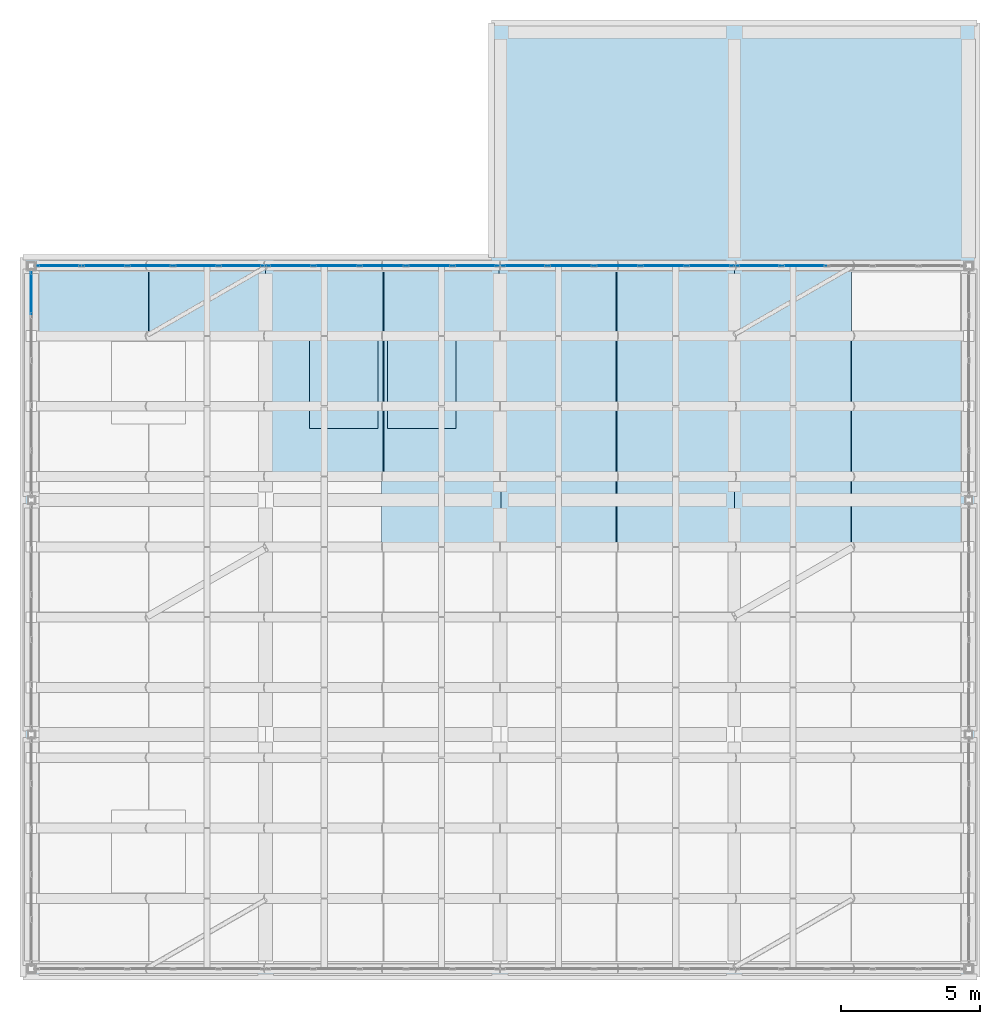
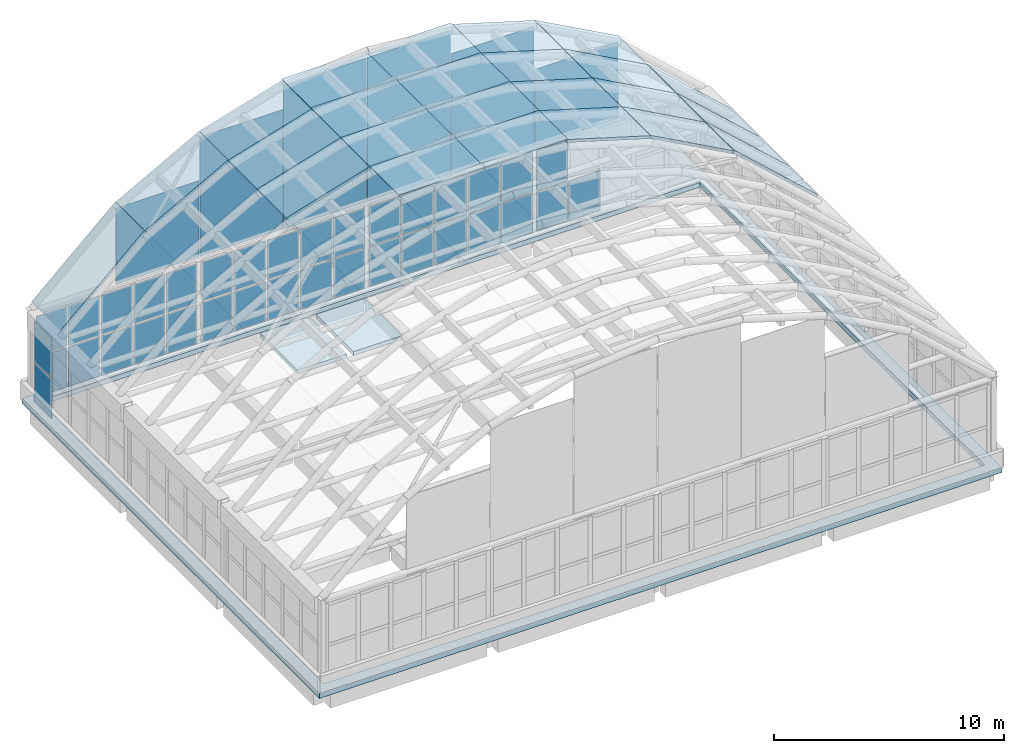
# One storey, part 24 of 26: 49 plates, 19 slabs, 5 elements without a shape of their own.
"""IFC4 building model written with IfcOpenShell, lengths in metres."""

from ifc_helpers import new_model, si_unit, direction, frame, origin, origin_2d, place, context, subcontext, project, spatial, polyline, rectangle, outline, extrude, material, layer, layer_set, type_object, element, aggregate, save


model = new_model("IFC4")

# Units and contexts
model_context = context("Model", 3, precision=1e-05, world=origin(), true_north=direction((0.0, 1.0)))
body_context = subcontext(model_context, "Body", "Model", "MODEL_VIEW")
ifc_project = project(units=[si_unit("LENGTHUNIT", "METRE"), si_unit("AREAUNIT", "SQUARE_METRE"), si_unit("VOLUMEUNIT", "CUBIC_METRE"), si_unit("PLANEANGLEUNIT", "RADIAN"), si_unit("MASSUNIT", "GRAM", prefix="KILO")], contexts=[model_context])

# Site, building, storey
site_placement = place(None, origin())
site = spatial("IfcSite", under=ifc_project, at=site_placement, CompositionType="ELEMENT")
building_placement = place(site_placement, origin())
building = spatial("IfcBuilding", under=site, at=building_placement, Name="Xazarin Passage Department Store", CompositionType="ELEMENT")
storey_placement = place(building_placement, frame((0.0, 0.0, 36.89990234375)))
storey = spatial("IfcBuildingStorey", under=building, at=storey_placement, Name="RF", CompositionType="ELEMENT", Elevation=36.89990234375)

# Curtain wall, plates
ifc_material_1 = material(Name="Bronze anodised aluminium", Category="aluminium")
ifc_layer_1 = layer(ifc_material_1, 0.199951171875)
ifc_layer_set_1 = layer_set([ifc_layer_1], Name="Bronze anodised aluminium")
curtain_wall_type = type_object("IfcCurtainWallType", Name="ARC-CW-VIT2", PredefinedType="NOTDEFINED", material=ifc_layer_set_1)
curtain_wall_1_placement = place(storey_placement, origin())
curtain_wall_1 = element("IfcCurtainWall", 1, at=curtain_wall_1_placement, inside=storey, type_object=curtain_wall_type, Name="RF V1 Atrium Lantern Curtain Wall 05", PredefinedType="NOTDEFINED")
ifc_material_2 = material(Name="Low-E laminated safety glass", Category="glass")
ifc_layer_2 = layer(ifc_material_2, 0.031982421875)
ifc_layer_set_2 = layer_set([ifc_layer_2], Name="Low-E laminated safety glass")
plate_type_1 = type_object("IfcPlateType", Name="ARC-CWP-GLZ32", PredefinedType="CURTAIN_PANEL", material=ifc_layer_set_2)
plate_1_placement = place(storey_placement, frame((0.0, 100.61328125, 0.0751953125), z_axis=(0.0, 0.0, 1.0), x_axis=(0.0, 1.0, 0.0)))
plate_1 = element("IfcPlate", 2, at=plate_1_placement, type_object=plate_type_1, Name="CW2 panel 5.1", PredefinedType="CURTAIN_PANEL", context=body_context, shape_type="SweptSolid", body=[
    extrude(rectangle(XDim=1.50341796875, YDim=0.031982421875, at=origin_2d()), origin(), (0.0, 0.0, 1.0), 2.089599609375),
])
plate_2_placement = place(storey_placement, frame((0.0, 100.61328125, 2.23974609375), z_axis=(0.0, 0.0, 1.0), x_axis=(0.0, 1.0, 0.0)))
plate_2 = element("IfcPlate", 3, at=plate_2_placement, type_object=plate_type_1, Name="CW2 panel 5.2", PredefinedType="CURTAIN_PANEL", context=body_context, shape_type="SweptSolid", body=[
    extrude(rectangle(XDim=1.50341796875, YDim=0.031982421875, at=origin_2d()), origin(), (0.0, 0.0, 1.0), 2.089599609375),
])
aggregate(curtain_wall_1, [plate_1, plate_2])

curtain_wall_2_placement = place(storey_placement, origin())
curtain_wall_2 = element("IfcCurtainWall", 4, at=curtain_wall_2_placement, inside=storey, type_object=curtain_wall_type, Name="RF V1 Atrium Lantern Curtain Wall 08", PredefinedType="NOTDEFINED")
plate_3_placement = place(storey_placement, frame((0.998779296875, 101.60009765625, 0.0751953125), z_axis=(0.0, 0.0, 1.0), x_axis=(1.0, 0.0, 0.0)))
plate_3 = element("IfcPlate", 5, at=plate_3_placement, type_object=plate_type_1, Name="CW2 panel 1.1", PredefinedType="CURTAIN_PANEL", context=body_context, shape_type="SweptSolid", body=[
    extrude(rectangle(XDim=1.527587890625, YDim=0.031982421875, at=origin_2d()), origin(), (0.0, 0.0, 1.0), 2.089599609375),
])
plate_4_placement = place(storey_placement, frame((0.998779296875, 101.60009765625, 2.23974609375), z_axis=(0.0, 0.0, 1.0), x_axis=(1.0, 0.0, 0.0)))
plate_4 = element("IfcPlate", 6, at=plate_4_placement, type_object=plate_type_1, Name="CW2 panel 1.2", PredefinedType="CURTAIN_PANEL", context=body_context, shape_type="SweptSolid", body=[
    extrude(rectangle(XDim=1.527587890625, YDim=0.031982421875, at=origin_2d()), origin(), (0.0, 0.0, 1.0), 2.089599609375),
])
plate_5_placement = place(storey_placement, frame((2.6201171875, 101.60009765625, 0.0751953125), z_axis=(0.0, 0.0, 1.0), x_axis=(1.0, 0.0, 0.0)))
plate_5 = element("IfcPlate", 7, at=plate_5_placement, type_object=plate_type_1, Name="CW2 panel 2.1", PredefinedType="CURTAIN_PANEL", context=body_context, shape_type="SweptSolid", body=[
    extrude(rectangle(XDim=1.56494140625, YDim=0.031982421875, at=origin_2d()), origin(), (0.0, 0.0, 1.0), 2.089599609375),
])
plate_6_placement = place(storey_placement, frame((2.6201171875, 101.60009765625, 2.23974609375), z_axis=(0.0, 0.0, 1.0), x_axis=(1.0, 0.0, 0.0)))
plate_6 = element("IfcPlate", 8, at=plate_6_placement, type_object=plate_type_1, Name="CW2 panel 2.2", PredefinedType="CURTAIN_PANEL", context=body_context, shape_type="SweptSolid", body=[
    extrude(rectangle(XDim=1.56494140625, YDim=0.031982421875, at=origin_2d()), origin(), (0.0, 0.0, 1.0), 2.089599609375),
])
plate_7_placement = place(storey_placement, frame((4.260009765625, 101.60009765625, 0.0751953125), z_axis=(0.0, 0.0, 1.0), x_axis=(1.0, 0.0, 0.0)))
plate_7 = element("IfcPlate", 9, at=plate_7_placement, type_object=plate_type_1, Name="CW2 panel 3.1", PredefinedType="CURTAIN_PANEL", context=body_context, shape_type="SweptSolid", body=[
    extrude(rectangle(XDim=1.56494140625, YDim=0.031982421875, at=origin_2d()), origin(), (0.0, 0.0, 1.0), 2.089599609375),
])
plate_8_placement = place(storey_placement, frame((4.260009765625, 101.60009765625, 2.23974609375), z_axis=(0.0, 0.0, 1.0), x_axis=(1.0, 0.0, 0.0)))
plate_8 = element("IfcPlate", 10, at=plate_8_placement, type_object=plate_type_1, Name="CW2 panel 3.2", PredefinedType="CURTAIN_PANEL", context=body_context, shape_type="SweptSolid", body=[
    extrude(rectangle(XDim=1.56494140625, YDim=0.031982421875, at=origin_2d()), origin(), (0.0, 0.0, 1.0), 2.089599609375),
])
plate_9_placement = place(storey_placement, frame((5.89990234375, 101.60009765625, 0.0751953125), z_axis=(0.0, 0.0, 1.0), x_axis=(1.0, 0.0, 0.0)))
plate_9 = element("IfcPlate", 11, at=plate_9_placement, type_object=plate_type_1, Name="CW2 panel 4.1", PredefinedType="CURTAIN_PANEL", context=body_context, shape_type="SweptSolid", body=[
    extrude(rectangle(XDim=1.56494140625, YDim=0.031982421875, at=origin_2d()), origin(), (0.0, 0.0, 1.0), 2.089599609375),
])
plate_10_placement = place(storey_placement, frame((5.89990234375, 101.60009765625, 2.23974609375), z_axis=(0.0, 0.0, 1.0), x_axis=(1.0, 0.0, 0.0)))
plate_10 = element("IfcPlate", 12, at=plate_10_placement, type_object=plate_type_1, Name="CW2 panel 4.2", PredefinedType="CURTAIN_PANEL", context=body_context, shape_type="SweptSolid", body=[
    extrude(rectangle(XDim=1.56494140625, YDim=0.031982421875, at=origin_2d()), origin(), (0.0, 0.0, 1.0), 2.089599609375),
])
plate_11_placement = place(storey_placement, frame((7.521240234375, 101.60009765625, 0.0751953125), z_axis=(0.0, 0.0, 1.0), x_axis=(1.0, 0.0, 0.0)))
plate_11 = element("IfcPlate", 13, at=plate_11_placement, type_object=plate_type_1, Name="CW2 panel 5.1", PredefinedType="CURTAIN_PANEL", context=body_context, shape_type="SweptSolid", body=[
    extrude(rectangle(XDim=1.527587890625, YDim=0.031982421875, at=origin_2d()), origin(), (0.0, 0.0, 1.0), 2.089599609375),
])
plate_12_placement = place(storey_placement, frame((7.521240234375, 101.60009765625, 2.23974609375), z_axis=(0.0, 0.0, 1.0), x_axis=(1.0, 0.0, 0.0)))
plate_12 = element("IfcPlate", 14, at=plate_12_placement, type_object=plate_type_1, Name="CW2 panel 5.2", PredefinedType="CURTAIN_PANEL", context=body_context, shape_type="SweptSolid", body=[
    extrude(rectangle(XDim=1.527587890625, YDim=0.031982421875, at=origin_2d()), origin(), (0.0, 0.0, 1.0), 2.089599609375),
])
aggregate(curtain_wall_2, [plate_3, plate_4, plate_5, plate_6, plate_7, plate_8, plate_9, plate_10, plate_11, plate_12])

curtain_wall_3_placement = place(storey_placement, origin())
curtain_wall_3 = element("IfcCurtainWall", 15, at=curtain_wall_3_placement, inside=storey, type_object=curtain_wall_type, Name="RF V1 Atrium Lantern Curtain Wall 10", PredefinedType="NOTDEFINED")
plate_13_placement = place(storey_placement, frame((9.290771484375, 101.60009765625, 0.0751953125), z_axis=(0.0, 0.0, 1.0), x_axis=(1.0, 0.0, 0.0)))
plate_13 = element("IfcPlate", 16, at=plate_13_placement, type_object=plate_type_1, Name="CW2 panel 1.1", PredefinedType="CURTAIN_PANEL", context=body_context, shape_type="SweptSolid", body=[
    extrude(rectangle(XDim=1.551513671875, YDim=0.031982421875, at=origin_2d()), origin(), (0.0, 0.0, 1.0), 2.089599609375),
])
plate_14_placement = place(storey_placement, frame((9.290771484375, 101.60009765625, 2.23974609375), z_axis=(0.0, 0.0, 1.0), x_axis=(1.0, 0.0, 0.0)))
plate_14 = element("IfcPlate", 17, at=plate_14_placement, type_object=plate_type_1, Name="CW2 panel 1.2", PredefinedType="CURTAIN_PANEL", context=body_context, shape_type="SweptSolid", body=[
    extrude(rectangle(XDim=1.551513671875, YDim=0.031982421875, at=origin_2d()), origin(), (0.0, 0.0, 1.0), 2.089599609375),
])
plate_15_placement = place(storey_placement, frame((10.93603515625, 101.60009765625, 0.0751953125), z_axis=(0.0, 0.0, 1.0), x_axis=(1.0, 0.0, 0.0)))
plate_15 = element("IfcPlate", 18, at=plate_15_placement, type_object=plate_type_1, Name="CW2 panel 2.1", PredefinedType="CURTAIN_PANEL", context=body_context, shape_type="SweptSolid", body=[
    extrude(rectangle(XDim=1.589111328125, YDim=0.031982421875, at=origin_2d()), origin(), (0.0, 0.0, 1.0), 2.089599609375),
])
plate_16_placement = place(storey_placement, frame((10.93603515625, 101.60009765625, 2.23974609375), z_axis=(0.0, 0.0, 1.0), x_axis=(1.0, 0.0, 0.0)))
plate_16 = element("IfcPlate", 19, at=plate_16_placement, type_object=plate_type_1, Name="CW2 panel 2.2", PredefinedType="CURTAIN_PANEL", context=body_context, shape_type="SweptSolid", body=[
    extrude(rectangle(XDim=1.589111328125, YDim=0.031982421875, at=origin_2d()), origin(), (0.0, 0.0, 1.0), 2.089599609375),
])
plate_17_placement = place(storey_placement, frame((12.60009765625, 101.60009765625, 0.0751953125), z_axis=(0.0, 0.0, 1.0), x_axis=(1.0, 0.0, 0.0)))
plate_17 = element("IfcPlate", 20, at=plate_17_placement, type_object=plate_type_1, Name="CW2 panel 3.1", PredefinedType="CURTAIN_PANEL", context=body_context, shape_type="SweptSolid", body=[
    extrude(rectangle(XDim=1.589111328125, YDim=0.031982421875, at=origin_2d()), origin(), (0.0, 0.0, 1.0), 2.089599609375),
])
plate_18_placement = place(storey_placement, frame((12.60009765625, 101.60009765625, 2.23974609375), z_axis=(0.0, 0.0, 1.0), x_axis=(1.0, 0.0, 0.0)))
plate_18 = element("IfcPlate", 21, at=plate_18_placement, type_object=plate_type_1, Name="CW2 panel 3.2", PredefinedType="CURTAIN_PANEL", context=body_context, shape_type="SweptSolid", body=[
    extrude(rectangle(XDim=1.589111328125, YDim=0.031982421875, at=origin_2d()), origin(), (0.0, 0.0, 1.0), 2.089599609375),
])
plate_19_placement = place(storey_placement, frame((14.263916015625, 101.60009765625, 0.0751953125), z_axis=(0.0, 0.0, 1.0), x_axis=(1.0, 0.0, 0.0)))
plate_19 = element("IfcPlate", 22, at=plate_19_placement, type_object=plate_type_1, Name="CW2 panel 4.1", PredefinedType="CURTAIN_PANEL", context=body_context, shape_type="SweptSolid", body=[
    extrude(rectangle(XDim=1.589111328125, YDim=0.031982421875, at=origin_2d()), origin(), (0.0, 0.0, 1.0), 2.089599609375),
])
plate_20_placement = place(storey_placement, frame((14.263916015625, 101.60009765625, 2.23974609375), z_axis=(0.0, 0.0, 1.0), x_axis=(1.0, 0.0, 0.0)))
plate_20 = element("IfcPlate", 23, at=plate_20_placement, type_object=plate_type_1, Name="CW2 panel 4.2", PredefinedType="CURTAIN_PANEL", context=body_context, shape_type="SweptSolid", body=[
    extrude(rectangle(XDim=1.589111328125, YDim=0.031982421875, at=origin_2d()), origin(), (0.0, 0.0, 1.0), 2.089599609375),
])
plate_21_placement = place(storey_placement, frame((15.9091796875, 101.60009765625, 0.0751953125), z_axis=(0.0, 0.0, 1.0), x_axis=(1.0, 0.0, 0.0)))
plate_21 = element("IfcPlate", 24, at=plate_21_placement, type_object=plate_type_1, Name="CW2 panel 5.1", PredefinedType="CURTAIN_PANEL", context=body_context, shape_type="SweptSolid", body=[
    extrude(rectangle(XDim=1.551513671875, YDim=0.031982421875, at=origin_2d()), origin(), (0.0, 0.0, 1.0), 2.089599609375),
])
plate_22_placement = place(storey_placement, frame((15.9091796875, 101.60009765625, 2.23974609375), z_axis=(0.0, 0.0, 1.0), x_axis=(1.0, 0.0, 0.0)))
plate_22 = element("IfcPlate", 25, at=plate_22_placement, type_object=plate_type_1, Name="CW2 panel 5.2", PredefinedType="CURTAIN_PANEL", context=body_context, shape_type="SweptSolid", body=[
    extrude(rectangle(XDim=1.551513671875, YDim=0.031982421875, at=origin_2d()), origin(), (0.0, 0.0, 1.0), 2.089599609375),
])
aggregate(curtain_wall_3, [plate_13, plate_14, plate_15, plate_16, plate_17, plate_18, plate_19, plate_20, plate_21, plate_22])

curtain_wall_4_placement = place(storey_placement, origin())
curtain_wall_4 = element("IfcCurtainWall", 26, at=curtain_wall_4_placement, inside=storey, type_object=curtain_wall_type, Name="RF V1 Atrium Lantern Curtain Wall 12", PredefinedType="NOTDEFINED")
plate_23_placement = place(storey_placement, frame((17.690673828125, 101.60009765625, 0.0751953125), z_axis=(0.0, 0.0, 1.0), x_axis=(1.0, 0.0, 0.0)))
plate_23 = element("IfcPlate", 27, at=plate_23_placement, type_object=plate_type_1, Name="CW2 panel 1.1", PredefinedType="CURTAIN_PANEL", context=body_context, shape_type="SweptSolid", body=[
    extrude(rectangle(XDim=1.551513671875, YDim=0.031982421875, at=origin_2d()), origin(), (0.0, 0.0, 1.0), 2.089599609375),
])
plate_24_placement = place(storey_placement, frame((17.690673828125, 101.60009765625, 2.23974609375), z_axis=(0.0, 0.0, 1.0), x_axis=(1.0, 0.0, 0.0)))
plate_24 = element("IfcPlate", 28, at=plate_24_placement, type_object=plate_type_1, Name="CW2 panel 1.2", PredefinedType="CURTAIN_PANEL", context=body_context, shape_type="SweptSolid", body=[
    extrude(rectangle(XDim=1.551513671875, YDim=0.031982421875, at=origin_2d()), origin(), (0.0, 0.0, 1.0), 2.089599609375),
])
plate_25_placement = place(storey_placement, frame((19.3359375, 101.60009765625, 0.0751953125), z_axis=(0.0, 0.0, 1.0), x_axis=(1.0, 0.0, 0.0)))
plate_25 = element("IfcPlate", 29, at=plate_25_placement, type_object=plate_type_1, Name="CW2 panel 2.1", PredefinedType="CURTAIN_PANEL", context=body_context, shape_type="SweptSolid", body=[
    extrude(rectangle(XDim=1.589111328125, YDim=0.031982421875, at=origin_2d()), origin(), (0.0, 0.0, 1.0), 2.089599609375),
])
plate_26_placement = place(storey_placement, frame((19.3359375, 101.60009765625, 2.23974609375), z_axis=(0.0, 0.0, 1.0), x_axis=(1.0, 0.0, 0.0)))
plate_26 = element("IfcPlate", 30, at=plate_26_placement, type_object=plate_type_1, Name="CW2 panel 2.2", PredefinedType="CURTAIN_PANEL", context=body_context, shape_type="SweptSolid", body=[
    extrude(rectangle(XDim=1.589111328125, YDim=0.031982421875, at=origin_2d()), origin(), (0.0, 0.0, 1.0), 2.089599609375),
])
plate_27_placement = place(storey_placement, frame((21.0, 101.60009765625, 0.0751953125), z_axis=(0.0, 0.0, 1.0), x_axis=(1.0, 0.0, 0.0)))
plate_27 = element("IfcPlate", 31, at=plate_27_placement, type_object=plate_type_1, Name="CW2 panel 3.1", PredefinedType="CURTAIN_PANEL", context=body_context, shape_type="SweptSolid", body=[
    extrude(rectangle(XDim=1.589111328125, YDim=0.031982421875, at=origin_2d()), origin(), (0.0, 0.0, 1.0), 2.089599609375),
])
plate_28_placement = place(storey_placement, frame((21.0, 101.60009765625, 2.23974609375), z_axis=(0.0, 0.0, 1.0), x_axis=(1.0, 0.0, 0.0)))
plate_28 = element("IfcPlate", 32, at=plate_28_placement, type_object=plate_type_1, Name="CW2 panel 3.2", PredefinedType="CURTAIN_PANEL", context=body_context, shape_type="SweptSolid", body=[
    extrude(rectangle(XDim=1.589111328125, YDim=0.031982421875, at=origin_2d()), origin(), (0.0, 0.0, 1.0), 2.089599609375),
])
plate_29_placement = place(storey_placement, frame((22.6640625, 101.60009765625, 0.0751953125), z_axis=(0.0, 0.0, 1.0), x_axis=(1.0, 0.0, 0.0)))
plate_29 = element("IfcPlate", 33, at=plate_29_placement, type_object=plate_type_1, Name="CW2 panel 4.1", PredefinedType="CURTAIN_PANEL", context=body_context, shape_type="SweptSolid", body=[
    extrude(rectangle(XDim=1.589111328125, YDim=0.031982421875, at=origin_2d()), origin(), (0.0, 0.0, 1.0), 2.089599609375),
])
plate_30_placement = place(storey_placement, frame((22.6640625, 101.60009765625, 2.23974609375), z_axis=(0.0, 0.0, 1.0), x_axis=(1.0, 0.0, 0.0)))
plate_30 = element("IfcPlate", 34, at=plate_30_placement, type_object=plate_type_1, Name="CW2 panel 4.2", PredefinedType="CURTAIN_PANEL", context=body_context, shape_type="SweptSolid", body=[
    extrude(rectangle(XDim=1.589111328125, YDim=0.031982421875, at=origin_2d()), origin(), (0.0, 0.0, 1.0), 2.089599609375),
])
plate_31_placement = place(storey_placement, frame((24.309326171875, 101.60009765625, 0.0751953125), z_axis=(0.0, 0.0, 1.0), x_axis=(1.0, 0.0, 0.0)))
plate_31 = element("IfcPlate", 35, at=plate_31_placement, type_object=plate_type_1, Name="CW2 panel 5.1", PredefinedType="CURTAIN_PANEL", context=body_context, shape_type="SweptSolid", body=[
    extrude(rectangle(XDim=1.551513671875, YDim=0.031982421875, at=origin_2d()), origin(), (0.0, 0.0, 1.0), 2.089599609375),
])
plate_32_placement = place(storey_placement, frame((24.309326171875, 101.60009765625, 2.23974609375), z_axis=(0.0, 0.0, 1.0), x_axis=(1.0, 0.0, 0.0)))
plate_32 = element("IfcPlate", 36, at=plate_32_placement, type_object=plate_type_1, Name="CW2 panel 5.2", PredefinedType="CURTAIN_PANEL", context=body_context, shape_type="SweptSolid", body=[
    extrude(rectangle(XDim=1.551513671875, YDim=0.031982421875, at=origin_2d()), origin(), (0.0, 0.0, 1.0), 2.089599609375),
])
aggregate(curtain_wall_4, [plate_23, plate_24, plate_25, plate_26, plate_27, plate_28, plate_29, plate_30, plate_31, plate_32])

curtain_wall_5_placement = place(storey_placement, origin())
curtain_wall_5 = element("IfcCurtainWall", 37, at=curtain_wall_5_placement, inside=storey, type_object=curtain_wall_type, Name="RF V1 Atrium Lantern Curtain Wall 14", PredefinedType="NOTDEFINED")
plate_33_placement = place(storey_placement, frame((26.078857421875, 101.60009765625, 0.0751953125), z_axis=(0.0, 0.0, 1.0), x_axis=(1.0, 0.0, 0.0)))
plate_33 = element("IfcPlate", 38, at=plate_33_placement, type_object=plate_type_1, Name="CW2 panel 1.1", PredefinedType="CURTAIN_PANEL", context=body_context, shape_type="SweptSolid", body=[
    extrude(rectangle(XDim=1.527587890625, YDim=0.031982421875, at=origin_2d()), origin(), (0.0, 0.0, 1.0), 2.089599609375),
])
plate_34_placement = place(storey_placement, frame((26.078857421875, 101.60009765625, 2.23974609375), z_axis=(0.0, 0.0, 1.0), x_axis=(1.0, 0.0, 0.0)))
plate_34 = element("IfcPlate", 39, at=plate_34_placement, type_object=plate_type_1, Name="CW2 panel 1.2", PredefinedType="CURTAIN_PANEL", context=body_context, shape_type="SweptSolid", body=[
    extrude(rectangle(XDim=1.527587890625, YDim=0.031982421875, at=origin_2d()), origin(), (0.0, 0.0, 1.0), 2.089599609375),
])
plate_35_placement = place(storey_placement, frame((27.699951171875, 101.60009765625, 0.0751953125), z_axis=(0.0, 0.0, 1.0), x_axis=(1.0, 0.0, 0.0)))
plate_35 = element("IfcPlate", 40, at=plate_35_placement, type_object=plate_type_1, Name="CW2 panel 2.1", PredefinedType="CURTAIN_PANEL", context=body_context, shape_type="SweptSolid", body=[
    extrude(rectangle(XDim=1.56494140625, YDim=0.031982421875, at=origin_2d()), origin(), (0.0, 0.0, 1.0), 2.089599609375),
])
aggregate(curtain_wall_5, [plate_33, plate_34, plate_35])

# Plates
ifc_layer_3 = layer(ifc_material_2, 0.031982421875)
ifc_layer_set_3 = layer_set([ifc_layer_3], Name="Low-E laminated safety glass")
plate_type_2 = type_object("IfcPlateType", Name="ARC-PLT-VGLZ32", PredefinedType="SHEET", material=ifc_layer_set_3)
plate_36_placement = place(storey_placement, frame((6.300048828125, 101.60009765625, 4.64453125), z_axis=(0.0, 0.0, 1.0), x_axis=(1.0, 0.0, 0.0)))
element("IfcPlate", 41, at=plate_36_placement, inside=storey, type_object=plate_type_2, Name="V1V Glazed Gable Tympanum Panel 2.2", PredefinedType="SHEET", context=body_context, shape_type="SweptSolid", body=[
    extrude(rectangle(XDim=4.159912109375, YDim=0.031982421875, at=origin_2d()), origin(), (0.0, 0.0, 1.0), 4.030029296875),
])
plate_37_placement = place(storey_placement, frame((10.5, 101.60009765625, 4.644287109375), z_axis=(0.0, 0.0, 1.0), x_axis=(1.0, 0.0, 0.0)))
element("IfcPlate", 42, at=plate_37_placement, inside=storey, type_object=plate_type_2, Name="V1V Glazed Gable Tympanum Panel 2.3", PredefinedType="SHEET", context=body_context, shape_type="SweptSolid", body=[
    extrude(rectangle(XDim=4.159912109375, YDim=0.031982421875, at=origin_2d()), origin(), (0.0, 0.0, 1.0), 6.3291015625),
])
for number, where, z_axis, x_axis, name in (
    (43, (14.699951171875, 101.60009765625, 4.64404296875), (0.0, 0.0, 1.0), (1.0, 0.0, 0.0), "V1V Glazed Gable Tympanum Panel 2.4"),
    (44, (18.89990234375, 101.60009765625, 4.64404296875), (0.0, 0.0, 1.0), (1.0, 0.0, 0.0), "V1V Glazed Gable Tympanum Panel 2.5"),
):
    element("IfcPlate", number, at=place(storey_placement, frame(where, z_axis=z_axis, x_axis=x_axis)), inside=storey, type_object=plate_type_2, Name=name, PredefinedType="SHEET", context=body_context, shape_type="SweptSolid", body=[
        extrude(rectangle(XDim=4.159912109375, YDim=0.031982421875, at=origin_2d()), origin(), (0.0, 0.0, 1.0), 7.591064453125),
    ])
plate_38_placement = place(storey_placement, frame((23.10009765625, 101.60009765625, 4.644287109375), z_axis=(0.0, 0.0, 1.0), x_axis=(1.0, 0.0, 0.0)))
element("IfcPlate", 45, at=plate_38_placement, inside=storey, type_object=plate_type_2, Name="V1V Glazed Gable Tympanum Panel 2.6", PredefinedType="SHEET", context=body_context, shape_type="SweptSolid", body=[
    extrude(rectangle(XDim=4.159912109375, YDim=0.031982421875, at=origin_2d()), origin(), (0.0, 0.0, 1.0), 6.3291015625),
])
plate_39_placement = place(storey_placement, frame((27.300048828125, 101.60009765625, 4.64453125), z_axis=(0.0, 0.0, 1.0), x_axis=(1.0, 0.0, 0.0)))
element("IfcPlate", 46, at=plate_39_placement, inside=storey, type_object=plate_type_2, Name="V1V Glazed Gable Tympanum Panel 2.7", PredefinedType="SHEET", context=body_context, shape_type="SweptSolid", body=[
    extrude(rectangle(XDim=4.159912109375, YDim=0.031982421875, at=origin_2d()), origin(), (0.0, 0.0, 1.0), 4.030029296875),
])
for number, where, z_axis, x_axis, name in (
    (47, (14.699951171875, 92.780029296875, 12.54736328125), (0.0, 0.0, 1.0), (1.0, 0.0, 0.0), "V1V Crown Skylight Glazing Panel 7.4"),
    (48, (18.89990234375, 92.780029296875, 12.54736328125), (0.0, 0.0, 1.0), (1.0, 0.0, 0.0), "V1V Crown Skylight Glazing Panel 7.5"),
    (49, (14.699951171875, 95.300048828125, 12.54736328125), (0.0, 0.0, 1.0), (1.0, 0.0, 0.0), "V1V Crown Skylight Glazing Panel 8.4"),
    (50, (18.89990234375, 95.300048828125, 12.54736328125), (0.0, 0.0, 1.0), (1.0, 0.0, 0.0), "V1V Crown Skylight Glazing Panel 8.5"),
    (51, (14.699951171875, 97.820068359375, 12.54736328125), (0.0, 0.0, 1.0), (1.0, 0.0, 0.0), "V1V Crown Skylight Glazing Panel 9.4"),
    (52, (18.89990234375, 97.820068359375, 12.54736328125), (0.0, 0.0, 1.0), (1.0, 0.0, 0.0), "V1V Crown Skylight Glazing Panel 9.5"),
    (53, (14.699951171875, 100.340087890625, 12.54736328125), (0.0, 0.0, 1.0), (1.0, 0.0, 0.0), "V1V Crown Skylight Glazing Panel 10.4"),
    (54, (18.89990234375, 100.340087890625, 12.54736328125), (0.0, 0.0, 1.0), (1.0, 0.0, 0.0), "V1V Crown Skylight Glazing Panel 10.5"),
):
    element("IfcPlate", number, at=place(storey_placement, frame(where, z_axis=z_axis, x_axis=x_axis)), inside=storey, type_object=plate_type_2, Name=name, PredefinedType="SHEET", context=body_context, shape_type="SweptSolid", body=[
        extrude(rectangle(XDim=4.280029296875, YDim=2.60009765625, at=origin_2d()), origin(), (0.0, 0.0, 1.0), 0.031982421875),
    ])

# Slabs
ifc_material_3 = material(Name="Concrete C35/45", Category="concrete")
ifc_layer_4 = layer(ifc_material_3, 0.2099609375)
ifc_layer_set_4 = layer_set([ifc_layer_4], Name="Concrete C35/45")
slab_type_1 = type_object("IfcSlabType", Name="STR-SLB-OVR210", PredefinedType="ROOF", material=ifc_layer_set_4)
slab_1_placement = place(storey_placement, frame((0.0, 0.0, 1.400146484375)))
element("IfcSlab", 55, at=slab_1_placement, inside=storey, type_object=slab_type_1, Name="Lift FL1 Overrun Roof Slab", PredefinedType="ROOF", context=body_context, shape_type="SweptSolid", body=[
    extrude(outline(polyline([(9.969970703125, 95.77001953125), (12.429931640625, 95.77001953125), (12.429931640625, 99.030029296875), (9.969970703125, 99.030029296875), (9.969970703125, 95.77001953125)])), origin(), (0.0, 0.0, 1.0), 0.2099609375),
])
slab_2_placement = place(storey_placement, frame((0.0, 0.0, 1.400146484375)))
element("IfcSlab", 56, at=slab_2_placement, inside=storey, type_object=slab_type_1, Name="Lift FL2 Overrun Roof Slab", PredefinedType="ROOF", context=body_context, shape_type="SweptSolid", body=[
    extrude(outline(polyline([(12.77001953125, 95.77001953125), (15.22998046875, 95.77001953125), (15.22998046875, 99.030029296875), (12.77001953125, 99.030029296875), (12.77001953125, 95.77001953125)])), origin(), (0.0, 0.0, 1.0), 0.2099609375),
])
ifc_layer_5 = layer(ifc_material_3, 0.260009765625)
ifc_layer_set_5 = layer_set([ifc_layer_5], Name="Concrete C35/45")
slab_type_2 = type_object("IfcSlabType", Name="STR-SLB-RF260", PredefinedType="ROOF", material=ifc_layer_set_5)
slab_3_placement = place(storey_placement, frame((0.0, 0.0, -0.260009765625)))
element("IfcSlab", 57, at=slab_3_placement, inside=storey, type_object=slab_type_2, Name="RF V1 Flagship Perimeter Roof Slab", PredefinedType="ROOF", context=body_context, shape_type="SweptSolid", body=[
    extrude(outline(polyline([(33.89990234375, 110.300048828125), (16.5, 110.300048828125), (16.5, 101.89990234375), (-0.300048828125, 101.89990234375), (-0.300048828125, 76.10009765625), (33.89990234375, 76.10009765625), (33.89990234375, 110.300048828125)]), holes=[polyline([(33.35009765625, 76.64990234375), (0.25, 76.64990234375), (0.25, 101.35009765625), (33.35009765625, 101.35009765625), (33.35009765625, 76.64990234375)])]), origin(), (0.0, 0.0, 1.0), 0.260009765625),
])
ifc_material_4 = material(Name="Concrete C40/50", Category="concrete")
ifc_layer_6 = layer(ifc_material_4, 0.239990234375)
ifc_layer_set_6 = layer_set([ifc_layer_6], Name="Concrete C40/50")
slab_type_3 = type_object("IfcSlabType", Name="STR-SLB-SHL240", PredefinedType="ROOF", material=ifc_layer_set_6)
slab_4_placement = place(storey_placement, frame((21.0, 91.52001953125, 12.542236328125), z_axis=(0.287761558044, 0.0, 0.957702086096), x_axis=(0.957702086096, 0.0, -0.287761558044)))
element("IfcSlab", 58, at=slab_4_placement, inside=storey, type_object=slab_type_3, Name="V1V Vaulted Roof Deck Facet 7.6", PredefinedType="ROOF", context=body_context, shape_type="SweptSolid", body=[
    extrude(outline(polyline([(0.0, 0.0), (4.385446406404802, 0.0), (4.385446406404802, 2.52001953125), (0.0, 2.52001953125), (0.0, 0.0)])), origin(), (0.0, 0.0, -1.0), 0.159912109375),
])
slab_5_placement = place(storey_placement, frame((25.199951171875, 91.52001953125, 11.29541015625), z_axis=(0.480130617978, 0.0, 0.877197007336), x_axis=(0.877197007336, 0.0, -0.480130617978)))
element("IfcSlab", 59, at=slab_5_placement, inside=storey, type_object=slab_type_3, Name="V1V Vaulted Roof Deck Facet 7.7", PredefinedType="ROOF", context=body_context, shape_type="SweptSolid", body=[
    extrude(outline(polyline([(0.0, 0.0), (4.787922367209519, 0.0), (4.787922367209519, 2.5200195312500004), (0.0, 2.5200195312500004), (0.0, 0.0)])), origin(), (0.0, 0.0, -1.0), 0.159912109375),
])
slab_6_placement = place(storey_placement, frame((29.39990234375, 91.52001953125, 9.03076171875), z_axis=(0.673800762597, 0.0, 0.738913074944), x_axis=(0.738913074944, 0.0, -0.673800762597)))
element("IfcSlab", 60, at=slab_6_placement, inside=storey, type_object=slab_type_3, Name="V1V Vaulted Roof Deck Facet 7.8", PredefinedType="ROOF", context=body_context, shape_type="SweptSolid", body=[
    extrude(outline(polyline([(0.0, 0.0), (5.68428879515727, 0.0), (5.68428879515727, 2.52001953125), (0.0, 2.52001953125), (0.0, 0.0)])), origin(), (0.0, 0.0, -1.0), 0.159912109375),
])
slab_7_placement = place(storey_placement, frame((8.39990234375, 94.0400390625, 11.2802734375), z_axis=(-0.287746216561, 0.0, 0.95770669563), x_axis=(0.95770669563, 0.0, 0.287746216561)))
element("IfcSlab", 61, at=slab_7_placement, inside=storey, type_object=slab_type_3, Name="V1V Vaulted Roof Deck Facet 8.3", PredefinedType="ROOF", context=body_context, shape_type="SweptSolid", body=[
    extrude(outline(polyline([(0.0, 0.0), (4.385680220953368, 0.0), (4.385680220953368, 2.52001953125), (0.0, 2.52001953125), (0.0, 0.0)])), origin(), (0.0, 0.0, -1.0), 0.159912109375),
])
slab_8_placement = place(storey_placement, frame((21.0, 94.0400390625, 12.542236328125), z_axis=(0.287761558044, 0.0, 0.957702086096), x_axis=(0.957702086096, 0.0, -0.287761558044)))
element("IfcSlab", 62, at=slab_8_placement, inside=storey, type_object=slab_type_3, Name="V1V Vaulted Roof Deck Facet 8.6", PredefinedType="ROOF", context=body_context, shape_type="SweptSolid", body=[
    extrude(outline(polyline([(0.0, 0.0), (4.385446406404802, 0.0), (4.385446406404802, 2.52001953125), (0.0, 2.52001953125), (0.0, 0.0)])), origin(), (0.0, 0.0, -1.0), 0.159912109375),
])
slab_9_placement = place(storey_placement, frame((25.199951171875, 94.0400390625, 11.29541015625), z_axis=(0.480130617978, 0.0, 0.877197007336), x_axis=(0.877197007336, 0.0, -0.480130617978)))
element("IfcSlab", 63, at=slab_9_placement, inside=storey, type_object=slab_type_3, Name="V1V Vaulted Roof Deck Facet 8.7", PredefinedType="ROOF", context=body_context, shape_type="SweptSolid", body=[
    extrude(outline(polyline([(0.0, 0.0), (4.787922367209519, 0.0), (4.787922367209519, 2.5200195312500004), (0.0, 2.5200195312500004), (0.0, 0.0)])), origin(), (0.0, 0.0, -1.0), 0.159912109375),
])
slab_10_placement = place(storey_placement, frame((29.39990234375, 94.0400390625, 9.03076171875), z_axis=(0.673800762597, 0.0, 0.738913074944), x_axis=(0.738913074944, 0.0, -0.673800762597)))
element("IfcSlab", 64, at=slab_10_placement, inside=storey, type_object=slab_type_3, Name="V1V Vaulted Roof Deck Facet 8.8", PredefinedType="ROOF", context=body_context, shape_type="SweptSolid", body=[
    extrude(outline(polyline([(0.0, 0.0), (5.68428879515727, 0.0), (5.68428879515727, 2.52001953125), (0.0, 2.52001953125), (0.0, 0.0)])), origin(), (0.0, 0.0, -1.0), 0.159912109375),
])
slab_11_placement = place(storey_placement, frame((8.39990234375, 96.56005859375, 11.2802734375), z_axis=(-0.287746216561, 0.0, 0.95770669563), x_axis=(0.95770669563, 0.0, 0.287746216561)))
element("IfcSlab", 65, at=slab_11_placement, inside=storey, type_object=slab_type_3, Name="V1V Vaulted Roof Deck Facet 9.3", PredefinedType="ROOF", context=body_context, shape_type="SweptSolid", body=[
    extrude(outline(polyline([(0.0, 0.0), (4.385680220953368, 0.0), (4.385680220953368, 2.52001953125), (0.0, 2.52001953125), (0.0, 0.0)])), origin(), (0.0, 0.0, -1.0), 0.159912109375),
])
slab_12_placement = place(storey_placement, frame((21.0, 96.56005859375, 12.542236328125), z_axis=(0.287761558044, 0.0, 0.957702086096), x_axis=(0.957702086096, 0.0, -0.287761558044)))
element("IfcSlab", 66, at=slab_12_placement, inside=storey, type_object=slab_type_3, Name="V1V Vaulted Roof Deck Facet 9.6", PredefinedType="ROOF", context=body_context, shape_type="SweptSolid", body=[
    extrude(outline(polyline([(0.0, 0.0), (4.385446406404802, 0.0), (4.385446406404802, 2.52001953125), (0.0, 2.52001953125), (0.0, 0.0)])), origin(), (0.0, 0.0, -1.0), 0.159912109375),
])
slab_13_placement = place(storey_placement, frame((25.199951171875, 96.56005859375, 11.29541015625), z_axis=(0.480130617978, 0.0, 0.877197007336), x_axis=(0.877197007336, 0.0, -0.480130617978)))
element("IfcSlab", 67, at=slab_13_placement, inside=storey, type_object=slab_type_3, Name="V1V Vaulted Roof Deck Facet 9.7", PredefinedType="ROOF", context=body_context, shape_type="SweptSolid", body=[
    extrude(outline(polyline([(0.0, 0.0), (4.787922367209519, 0.0), (4.787922367209519, 2.5200195312500004), (0.0, 2.5200195312500004), (0.0, 0.0)])), origin(), (0.0, 0.0, -1.0), 0.159912109375),
])
slab_14_placement = place(storey_placement, frame((29.39990234375, 96.56005859375, 9.03076171875), z_axis=(0.673800762597, 0.0, 0.738913074944), x_axis=(0.738913074944, 0.0, -0.673800762597)))
element("IfcSlab", 68, at=slab_14_placement, inside=storey, type_object=slab_type_3, Name="V1V Vaulted Roof Deck Facet 9.8", PredefinedType="ROOF", context=body_context, shape_type="SweptSolid", body=[
    extrude(outline(polyline([(0.0, 0.0), (5.68428879515727, 0.0), (5.68428879515727, 2.52001953125), (0.0, 2.52001953125), (0.0, 0.0)])), origin(), (0.0, 0.0, -1.0), 0.159912109375),
])
slab_15_placement = place(storey_placement, frame((0.0, 99.080078125, 5.20068359375), z_axis=(-0.673822146985, 0.0, 0.738893574361), x_axis=(0.738893574361, 0.0, 0.673822146985)))
element("IfcSlab", 69, at=slab_15_placement, inside=storey, type_object=slab_type_3, Name="V1V Vaulted Roof Deck Facet 10.1", PredefinedType="ROOF", context=body_context, shape_type="SweptSolid", body=[
    extrude(outline(polyline([(0.0, 0.0), (5.684108398837737, 0.0), (5.684108398837737, 2.52001953125), (0.0, 2.52001953125), (0.0, 0.0)])), origin(), (0.0, 0.0, -1.0), 0.159912109375),
])
slab_16_placement = place(storey_placement, frame((4.199951171875, 99.080078125, 8.99658203125), z_axis=(-0.480130617978, 0.0, 0.877197007336), x_axis=(0.877197007336, 0.0, 0.480130617978)))
element("IfcSlab", 70, at=slab_16_placement, inside=storey, type_object=slab_type_3, Name="V1V Vaulted Roof Deck Facet 10.2", PredefinedType="ROOF", context=body_context, shape_type="SweptSolid", body=[
    extrude(outline(polyline([(0.0, 0.0), (4.787922367209519, 0.0), (4.787922367209519, 2.5200195312500004), (0.0, 2.5200195312500004), (0.0, 0.0)])), origin(), (0.0, 0.0, -1.0), 0.159912109375),
])
slab_17_placement = place(storey_placement, frame((8.39990234375, 99.080078125, 11.2802734375), z_axis=(-0.287746216561, 0.0, 0.95770669563), x_axis=(0.95770669563, 0.0, 0.287746216561)))
element("IfcSlab", 71, at=slab_17_placement, inside=storey, type_object=slab_type_3, Name="V1V Vaulted Roof Deck Facet 10.3", PredefinedType="ROOF", context=body_context, shape_type="SweptSolid", body=[
    extrude(outline(polyline([(0.0, 0.0), (4.385680220953368, 0.0), (4.385680220953368, 2.52001953125), (0.0, 2.52001953125), (0.0, 0.0)])), origin(), (0.0, 0.0, -1.0), 0.159912109375),
])
slab_18_placement = place(storey_placement, frame((21.0, 99.080078125, 12.542236328125), z_axis=(0.287761558044, 0.0, 0.957702086096), x_axis=(0.957702086096, 0.0, -0.287761558044)))
element("IfcSlab", 72, at=slab_18_placement, inside=storey, type_object=slab_type_3, Name="V1V Vaulted Roof Deck Facet 10.6", PredefinedType="ROOF", context=body_context, shape_type="SweptSolid", body=[
    extrude(outline(polyline([(0.0, 0.0), (4.385446406404802, 0.0), (4.385446406404802, 2.52001953125), (0.0, 2.52001953125), (0.0, 0.0)])), origin(), (0.0, 0.0, -1.0), 0.159912109375),
])
slab_19_placement = place(storey_placement, frame((25.199951171875, 99.080078125, 11.29541015625), z_axis=(0.480130617978, 0.0, 0.877197007336), x_axis=(0.877197007336, 0.0, -0.480130617978)))
element("IfcSlab", 73, at=slab_19_placement, inside=storey, type_object=slab_type_3, Name="V1V Vaulted Roof Deck Facet 10.7", PredefinedType="ROOF", context=body_context, shape_type="SweptSolid", body=[
    extrude(outline(polyline([(0.0, 0.0), (4.787922367209519, 0.0), (4.787922367209519, 2.5200195312500004), (0.0, 2.5200195312500004), (0.0, 0.0)])), origin(), (0.0, 0.0, -1.0), 0.159912109375),
])

save(model, "model.ifc")
